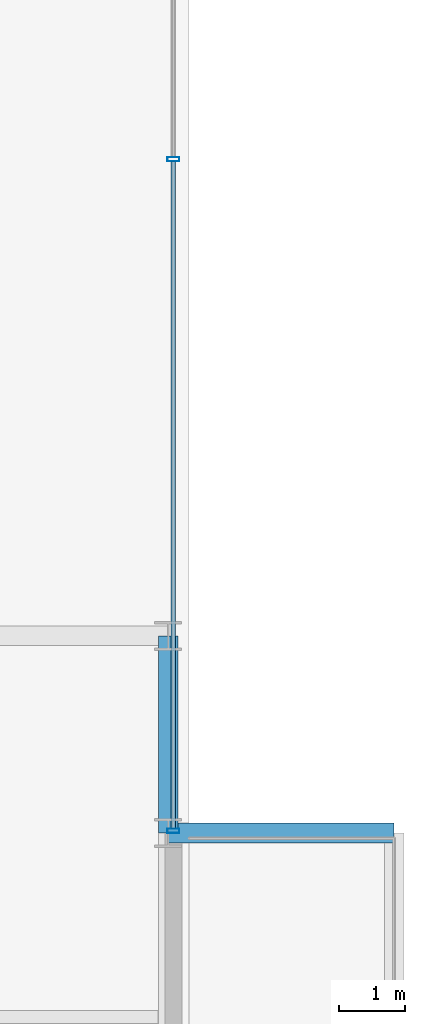
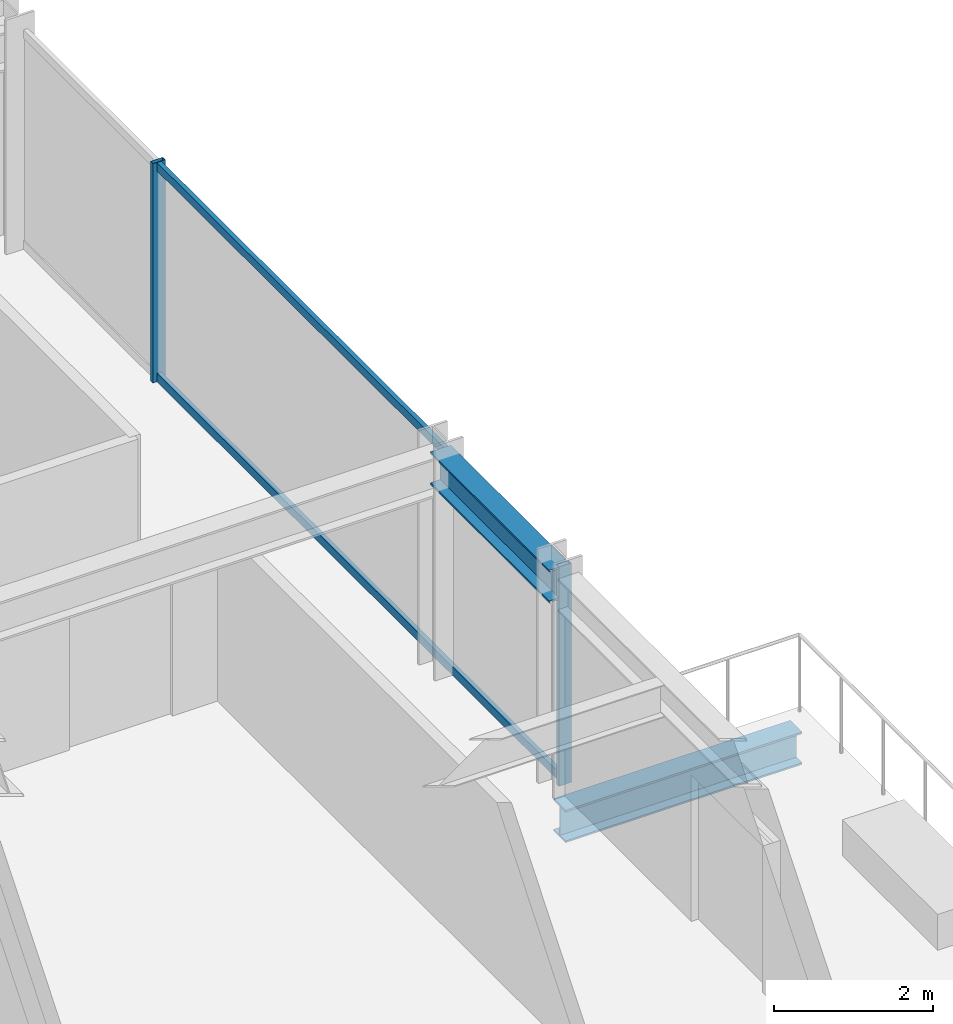
# One storey, part 17 of 35: 4 members, 2 beams, 1 element without a shape of its own.
"""IFC4 building model written with IfcOpenShell, lengths in metres."""

from ifc_helpers import new_model, si_unit, direction, frame, origin, origin_2d, place, context, subcontext, project, spatial, hollow_rectangle, i_section, extrude, source, transform, mapped, material, material_profile, profile_set, type_object, element, aggregate, save


model = new_model("IFC4")

# Units and contexts
model_context = context("Model", 3, precision=1e-05, world=origin(), true_north=direction((0.0, 1.0)))
body_context = subcontext(model_context, "Body", "Model", "MODEL_VIEW")
ifc_project = project(units=[si_unit("LENGTHUNIT", "METRE"), si_unit("AREAUNIT", "SQUARE_METRE"), si_unit("VOLUMEUNIT", "CUBIC_METRE"), si_unit("PLANEANGLEUNIT", "RADIAN"), si_unit("MASSUNIT", "GRAM", prefix="KILO")], contexts=[model_context])

# Site, building, storey
site_placement = place(None, origin())
site = spatial("IfcSite", under=ifc_project, at=site_placement, CompositionType="ELEMENT")
building_placement = place(site_placement, origin())
building = spatial("IfcBuilding", under=site, at=building_placement, Name="Nahalor Promenade Grand Hotel", CompositionType="ELEMENT")
storey_placement = place(building_placement, frame((0.0, 0.0, 39.699951171875)))
storey = spatial("IfcBuildingStorey", under=building, at=storey_placement, Name="L08", CompositionType="ELEMENT", Elevation=39.699951171875)

# Beams
ifc_material_1 = material(Name="Steel S355JR", Category="steel")
ifc_material_profile_1 = material_profile(ifc_material_1, i_section(OverallWidth=0.3, OverallDepth=0.5, WebThickness=0.0145, FlangeThickness=0.028, at=origin_2d()), Name="HEB 500")
ifc_profile_set_1 = profile_set([ifc_material_profile_1], Name="Steel S355JR")
beam_type_1 = type_object("IfcBeamType", Name="Beam-Outrigger-HEB500", PredefinedType="BEAM", material=ifc_profile_set_1)
shared_shape_1 = source(origin(), body_context, "Body", "SweptSolid", [
    extrude(i_section(OverallWidth=0.3, OverallDepth=0.5, WebThickness=0.0145, FlangeThickness=0.028, at=origin_2d()), origin(), (0.0, 0.0, 1.0), 3.43994140625),
])
beam_1_placement = place(storey_placement, frame((25.080078125, -8.39990234375, -0.530029296875), z_axis=(1.0, 0.0, 0.0), x_axis=(0.0, 1.0, 0.0)))
element("IfcBeam", 1, at=beam_1_placement, inside=storey, type_object=beam_type_1, Name="BM-L08-BC-02-2", PredefinedType="BEAM", context=body_context, shape_type="MappedRepresentation", body=[
    mapped(shared_shape_1, transform((0.0, 0.0, 0.0), scale=1.0)),
])
ifc_material_profile_2 = material_profile(ifc_material_1, i_section(OverallWidth=0.3, OverallDepth=0.5, WebThickness=0.0145, FlangeThickness=0.028, at=origin_2d()), Name="HEB 500")
ifc_profile_set_2 = profile_set([ifc_material_profile_2], Name="Steel S355JR")
beam_type_2 = type_object("IfcBeamType", Name="Beam-Spandrel-HEB500", PredefinedType="SPANDREL", material=ifc_profile_set_2)
shared_shape_2 = source(origin(), body_context, "Body", "SweptSolid", [
    extrude(i_section(OverallWidth=0.3, OverallDepth=0.5, WebThickness=0.0145, FlangeThickness=0.028, at=origin_2d()), origin(), (0.0, 0.0, 1.0), 3.0),
])
beam_2_placement = place(storey_placement, frame((25.080078125, -8.39990234375, 3.1201171875), z_axis=(0.0, 1.0, 0.0), x_axis=(-1.0, 0.0, 0.0)))
element("IfcBeam", 2, at=beam_2_placement, inside=storey, type_object=beam_type_2, Name="BM-L08-SP-E-1", PredefinedType="SPANDREL", context=body_context, shape_type="MappedRepresentation", body=[
    mapped(shared_shape_2, transform((0.0, 0.0, 0.0), scale=1.0)),
])

# Curtain wall, members
ifc_material_2 = material(Name="Anodised Bronze Aluminium EN AW-6063 T6", Category="aluminium")
curtain_wall_type = type_object("IfcCurtainWallType", Name="CW2 Typical Hotel Flush Bronze Unitised Curtain Wall", PredefinedType="USERDEFINED", material=ifc_material_2)
curtain_wall_placement = place(storey_placement, origin())
curtain_wall = element("IfcCurtainWall", 3, at=curtain_wall_placement, inside=storey, type_object=curtain_wall_type, Name="L08 Curtain Wall CW-L08-E-3", ObjectType="UNITISED_CURTAIN_WALL", PredefinedType="USERDEFINED")
ifc_material_profile_3 = material_profile(ifc_material_2, hollow_rectangle(XDim=0.065, YDim=0.18, WallThickness=0.004, at=origin_2d()), Name="CWM 65x180x4")
ifc_profile_set_3 = profile_set([ifc_material_profile_3], Name="Anodised Bronze Aluminium EN AW-6063 T6")
member_type_1 = type_object("IfcMemberType", Name="CWM2 Typical Bronze Mullion 65x180", PredefinedType="MULLION", material=ifc_profile_set_3)
shared_shape_3 = source(origin(), body_context, "Body", "SweptSolid", [
    extrude(hollow_rectangle(XDim=0.065, YDim=0.18, WallThickness=0.004, at=origin_2d()), origin(), (0.0, 0.0, 1.0), 3.3701171875),
])
member_1_placement = place(storey_placement, frame((25.159912109375, -8.367431640625, 0.0), z_axis=(0.0, 0.0, 1.0), x_axis=(0.0, 1.0, 0.0)))
member_1 = element("IfcMember", 4, at=member_1_placement, type_object=member_type_1, Name="CW-L08-E-3 Mullion 0", PredefinedType="MULLION", context=body_context, shape_type="MappedRepresentation", body=[
    mapped(shared_shape_3, transform((0.0, 0.0, 0.0), scale=1.0)),
])
member_2_placement = place(storey_placement, frame((25.159912109375, 1.853271484375, 0.0), z_axis=(0.0, 0.0, 1.0), x_axis=(0.0, 1.0, 0.0)))
member_2 = element("IfcMember", 5, at=member_2_placement, type_object=member_type_1, Name="CW-L08-E-3 Mullion 1", PredefinedType="MULLION", context=body_context, shape_type="MappedRepresentation", body=[
    mapped(shared_shape_3, transform((0.0, 0.0, 0.0), scale=1.0)),
])
ifc_material_profile_4 = material_profile(ifc_material_2, hollow_rectangle(XDim=0.065, YDim=0.13, WallThickness=0.004, at=origin_2d()), Name="CWT 65x130x4")
ifc_profile_set_4 = profile_set([ifc_material_profile_4], Name="Anodised Bronze Aluminium EN AW-6063 T6")
member_type_2 = type_object("IfcMemberType", Name="CWT2 Typical Bronze Transom 65x130", PredefinedType="USERDEFINED", material=ifc_profile_set_4)
shared_shape_4 = source(origin(), body_context, "Body", "SweptSolid", [
    extrude(hollow_rectangle(XDim=0.065, YDim=0.13, WallThickness=0.004, at=origin_2d()), origin(), (0.0, 0.0, 1.0), 10.15576171875),
])
member_3_placement = place(storey_placement, frame((25.159912109375, -8.3349609375, 0.06494140625), z_axis=(0.0, 1.0, 0.0), x_axis=(-1.0, 0.0, 0.0)))
member_3 = element("IfcMember", 6, at=member_3_placement, type_object=member_type_2, Name="CW-L08-E-3 Transom 0-0", ObjectType="TRANSOM", PredefinedType="USERDEFINED", context=body_context, shape_type="MappedRepresentation", body=[
    mapped(shared_shape_4, transform((0.0, 0.0, 0.0), scale=1.0)),
])
member_4_placement = place(storey_placement, frame((25.159912109375, -8.3349609375, 3.304931640625), z_axis=(0.0, 1.0, 0.0), x_axis=(-1.0, 0.0, 0.0)))
member_4 = element("IfcMember", 7, at=member_4_placement, type_object=member_type_2, Name="CW-L08-E-3 Transom 0-1", ObjectType="TRANSOM", PredefinedType="USERDEFINED", context=body_context, shape_type="MappedRepresentation", body=[
    mapped(shared_shape_4, transform((0.0, 0.0, 0.0), scale=1.0)),
])
aggregate(curtain_wall, [member_1, member_2, member_3, member_4])

save(model, "model.ifc")
